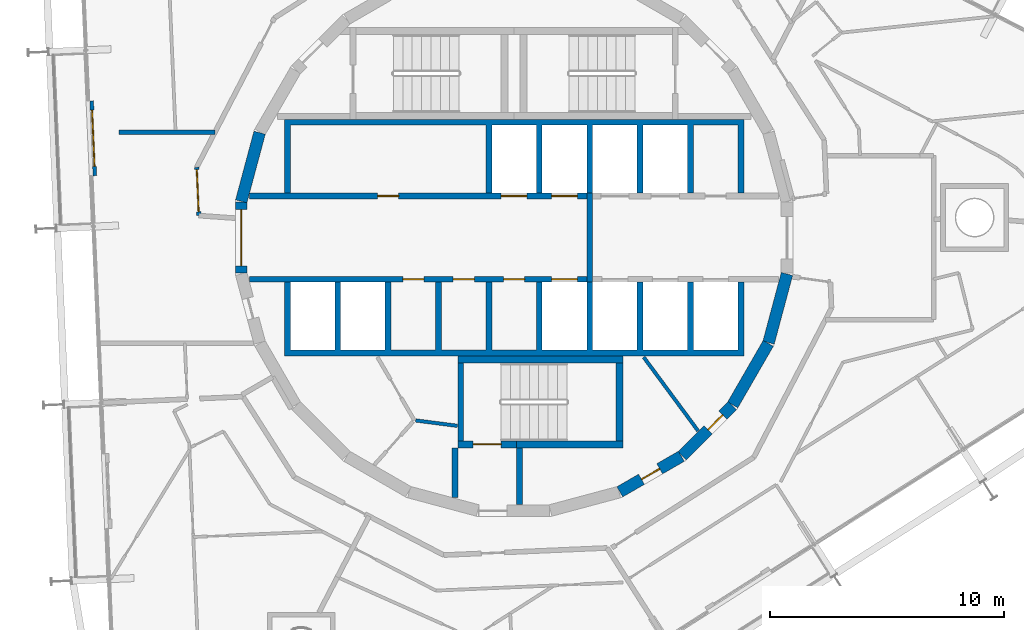
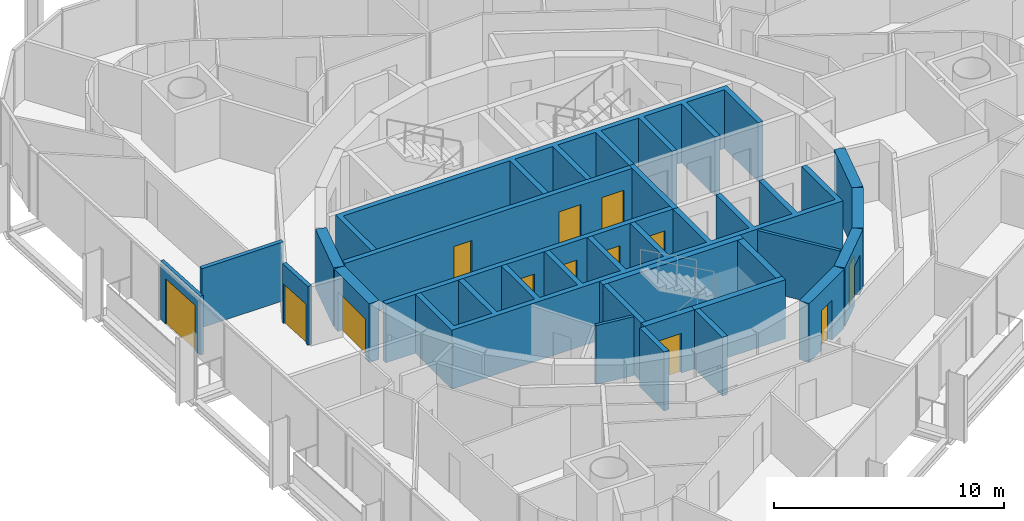
# One storey, part 13 of 18: 23 walls, 13 doors, 13 openings.
"""IFC4 building model written with IfcOpenShell, lengths in metres."""

from ifc_helpers import new_model, si_unit, direction, frame, frame_2d, origin, place, context, subcontext, project, spatial, polyline, rectangle, outline, extrude, material, layer, layer_set, type_object, element, fill, save


model = new_model("IFC4")

# Units and contexts
model_context = context("Model", 3, precision=1e-05, world=origin(), true_north=direction((0.0, 1.0)))
body_context = subcontext(model_context, "Body", "Model", "MODEL_VIEW")
ifc_project = project(units=[si_unit("LENGTHUNIT", "METRE"), si_unit("AREAUNIT", "SQUARE_METRE"), si_unit("VOLUMEUNIT", "CUBIC_METRE"), si_unit("PLANEANGLEUNIT", "RADIAN"), si_unit("MASSUNIT", "GRAM", prefix="KILO")], contexts=[model_context])

# Site, building, storey
site_placement = place(None, origin())
site = spatial("IfcSite", under=ifc_project, at=site_placement, CompositionType="ELEMENT")
building_placement = place(site_placement, origin())
building = spatial("IfcBuilding", under=site, at=building_placement, Name="Spindle Arch Residences", CompositionType="ELEMENT")
storey_placement = place(building_placement, frame((0.0, 0.0, 251.199951171875)))
storey = spatial("IfcBuildingStorey", under=building, at=storey_placement, Name="L64", CompositionType="ELEMENT", Elevation=251.199951171875)

# Wall, opening, door
ifc_material_1 = material(Name="Concrete C50/60", Category="concrete")
ifc_layer_1 = layer(ifc_material_1, 0.5)
ifc_layer_set_1 = layer_set([ifc_layer_1], Name="Core outline wall 500")
wall_type_1 = type_object("IfcWallType", Name="Core outline wall 500", PredefinedType="SHEAR", material=ifc_layer_set_1)
wall_1_placement = place(storey_placement, frame((4.510498046875, -10.84521484375, 0.0), z_axis=(0.0, 0.0, 1.0), x_axis=(0.865975092491, 0.500087131594, 0.0)))
wall_1 = element("IfcWall", 1, at=wall_1_placement, inside=storey, type_object=wall_type_1, Name="Core outline wall 2", PredefinedType="SHEAR", context=body_context, shape_type="SweptSolid", body=[
    extrude(rectangle(XDim=3.03271484375, YDim=0.5, at=frame_2d((1.516357421875, 0.0))), origin(), (0.0, 0.0, 1.0), 3.1201171875),
])
opening_1_placement = place(wall_1_placement, frame((1.06640625, 0.0, 0.0)))
opening_1 = element("IfcOpeningElement", 2, at=opening_1_placement, cuts=wall_1, Name="Opening R6C1-WD08", PredefinedType="OPENING", context=body_context, shape_type="SweptSolid", body=[
    extrude(rectangle(XDim=0.89990234375, YDim=2.10009765625, at=frame_2d((0.449951171875, 1.050048828125))), frame((0.0, 0.260009765625, 0.0), z_axis=(0.0, -1.0, 0.0), x_axis=(1.0, 0.0, 0.0)), (0.0, 0.0, 1.0), 0.52001953125),
])
ifc_material_2 = material(Name="Steel, fire-resisting door", Category="steel")
door_type_1 = type_object("IfcDoorType", Name="Service room door 900x2100", OperationType="SINGLE_SWING_LEFT", PredefinedType="DOOR", material=ifc_material_2)
door_1_placement = place(opening_1_placement, origin())
door_1 = element("IfcDoor", 3, at=door_1_placement, inside=storey, type_object=door_type_1, Name="Service room door R6C1-WD08", OperationType="SINGLE_SWING_RIGHT", OverallHeight=2.10009765625, OverallWidth=0.89990234375, PredefinedType="DOOR", context=body_context, shape_type="SweptSolid", body=[
    extrude(rectangle(XDim=0.89990234375, YDim=2.10009765625, at=frame_2d((0.449951171875, 1.050048828125))), frame((0.0, 0.02490234375, 0.0), z_axis=(0.0, -1.0, 0.0), x_axis=(1.0, 0.0, 0.0)), (0.0, 0.0, 1.0), 0.050048828125),
])
fill(opening_1, door_1)

wall_2_placement = place(storey_placement, frame((7.163818359375, -9.30810546875, 0.0), z_axis=(0.0, 0.0, 1.0), x_axis=(0.707106781187, 0.707106781187, 0.0)))
wall_2 = element("IfcWall", 4, at=wall_2_placement, inside=storey, type_object=wall_type_1, Name="Core outline wall 3", PredefinedType="SHEAR", context=body_context, shape_type="SweptSolid", body=[
    extrude(rectangle(XDim=3.032470703125, YDim=0.5, at=frame_2d((1.51611328125, 0.0))), origin(), (0.0, 0.0, 1.0), 3.1201171875),
])
opening_2_placement = place(wall_2_placement, frame((1.56640625, 0.0, 0.0)))
opening_2 = element("IfcOpeningElement", 5, at=opening_2_placement, cuts=wall_2, Name="Opening R6C1-WD09", PredefinedType="OPENING", context=body_context, shape_type="SweptSolid", body=[
    extrude(rectangle(XDim=0.89990234375, YDim=2.10009765625, at=frame_2d((0.449951171875, 1.050048828125))), frame((0.0, 0.260009765625, 0.0), z_axis=(0.0, -1.0, 0.0), x_axis=(1.0, 0.0, 0.0)), (0.0, 0.0, 1.0), 0.52001953125),
])
door_2_placement = place(opening_2_placement, origin())
door_2 = element("IfcDoor", 6, at=door_2_placement, inside=storey, type_object=door_type_1, Name="Service room door R6C1-WD09", OperationType="SINGLE_SWING_LEFT", OverallHeight=2.10009765625, OverallWidth=0.89990234375, PredefinedType="DOOR", context=body_context, shape_type="SweptSolid", body=[
    extrude(rectangle(XDim=0.89990234375, YDim=2.10009765625, at=frame_2d((0.449951171875, 1.050048828125))), frame((0.0, 0.02490234375, 0.0), z_axis=(0.0, -1.0, 0.0), x_axis=(1.0, 0.0, 0.0)), (0.0, 0.0, 1.0), 0.050048828125),
])
fill(opening_2, door_2)

# Walls
for number, where, z_axis, x_axis, name in (
    (7, (9.32861328125, -7.13671875, 0.0), (0.0, 0.0, 1.0), (0.500087131594, 0.865975092491, 0.0), "Core outline wall 4"),
    (8, (10.858154296875, -4.479248046875, 0.0), (0.0, 0.0, 1.0), (0.258734743916, 0.965948410781, 0.0), "Core outline wall 5"),
    (9, (-10.858154296875, 4.479248046875, 0.0), (0.0, 0.0, 1.0), (-0.258734743916, -0.965948410781, 0.0), "Core outline wall 17"),
):
    element("IfcWall", number, at=place(storey_placement, frame(where, z_axis=z_axis, x_axis=x_axis)), inside=storey, type_object=wall_type_1, Name=name, PredefinedType="SHEAR", context=body_context, shape_type="SweptSolid", body=[
        extrude(rectangle(XDim=3.03271484375, YDim=0.5, at=frame_2d((1.516357421875, 0.0))), origin(), (0.0, 0.0, 1.0), 3.1201171875),
    ])

# Wall, opening, door
wall_3_placement = place(storey_placement, frame((-11.647216796875, 1.516357421875, 0.0), z_axis=(0.0, 0.0, 1.0), x_axis=(0.0, -1.0, 0.0)))
wall_3 = element("IfcWall", 10, at=wall_3_placement, inside=storey, type_object=wall_type_1, Name="Core outline wall 18", PredefinedType="SHEAR", context=body_context, shape_type="SweptSolid", body=[
    extrude(rectangle(XDim=3.03271484375, YDim=0.5, at=frame_2d((1.516357421875, 0.0))), origin(), (0.0, 0.0, 1.0), 3.1201171875),
])
opening_3_placement = place(wall_3_placement, frame((0.31640625, 0.0, 0.0)))
opening_3 = element("IfcOpeningElement", 11, at=opening_3_placement, cuts=wall_3, Name="Opening R6C1-LE01", PredefinedType="OPENING", context=body_context, shape_type="SweptSolid", body=[
    extrude(rectangle(XDim=2.39990234375, YDim=2.10009765625, at=frame_2d((1.199951171875, 1.050048828125))), frame((0.0, 0.260009765625, 0.0), z_axis=(0.0, -1.0, 0.0), x_axis=(1.0, 0.0, 0.0)), (0.0, 0.0, 1.0), 0.52001953125),
])
ifc_material_3 = material(Name="Steel, fire-resisting door", Category="steel")
door_type_2 = type_object("IfcDoorType", Name="Lift lobby entrance door 2400x2100", OperationType="DOUBLE_DOOR_SINGLE_SWING", PredefinedType="DOOR", material=ifc_material_3)
door_3_placement = place(opening_3_placement, origin())
door_3 = element("IfcDoor", 12, at=door_3_placement, inside=storey, type_object=door_type_2, Name="Lift lobby entrance door R6C1-LE01", OperationType="DOUBLE_DOOR_SINGLE_SWING", OverallHeight=2.10009765625, OverallWidth=2.39990234375, PredefinedType="DOOR", context=body_context, shape_type="SweptSolid", body=[
    extrude(rectangle(XDim=2.39990234375, YDim=2.10009765625, at=frame_2d((1.199951171875, 1.050048828125))), frame((0.0, 0.02490234375, 0.0), z_axis=(0.0, -1.0, 0.0), x_axis=(1.0, 0.0, 0.0)), (0.0, 0.0, 1.0), 0.050048828125),
])
fill(opening_3, door_3)

# Wall
ifc_material_4 = material(Name="Concrete C40/50", Category="concrete")
ifc_layer_2 = layer(ifc_material_4, 0.25)
ifc_layer_set_2 = layer_set([ifc_layer_2], Name="Fire-lift lobby wall 250")
wall_type_2 = type_object("IfcWallType", Name="Fire-lift lobby wall 250", PredefinedType="SHEAR", material=ifc_layer_set_2)
wall_4_placement = place(storey_placement, frame((3.22509765625, -1.89990234375, 0.0), z_axis=(0.0, 0.0, 1.0), x_axis=(0.0, 1.0, 0.0)))
element("IfcWall", 13, at=wall_4_placement, inside=storey, type_object=wall_type_2, Name="Fire-fighting lobby partition", PredefinedType="SHEAR", context=body_context, shape_type="SweptSolid", body=[
    extrude(rectangle(XDim=3.7998046875, YDim=0.25, at=frame_2d((1.89990234375, 0.0))), origin(), (0.0, 0.0, 1.0), 3.1201171875),
])

# Wall, opening, door
ifc_material_5 = material(Name="Non-combustible mineral wool insulated aluminium faced external wall (K0)", Category="aluminium")
ifc_layer_3 = layer(ifc_material_5, 0.159912109375)
ifc_layer_set_3 = layer_set([ifc_layer_3], Name="Insulated external wall panel 160")
wall_type_3 = type_object("IfcWallType", Name="Insulated external wall panel 160", PredefinedType="STANDARD", material=ifc_layer_set_3)
wall_5_placement = place(storey_placement, frame((-18.026123046875, 5.83935546875, 0.0), z_axis=(0.0, 0.0, 1.0), x_axis=(0.043563034632, -0.999050680403, 0.0)))
wall_5 = element("IfcWall", 14, at=wall_5_placement, inside=storey, type_object=wall_type_3, Name="External wall L64 bay 14", PredefinedType="STANDARD", context=body_context, shape_type="SweptSolid", body=[
    extrude(rectangle(XDim=3.199951171875, YDim=0.159912109375, at=frame_2d((1.60009765625, 0.0))), origin(), (0.0, 0.0, 1.0), 3.1201171875),
])
opening_4_placement = place(wall_5_placement, frame((0.39990234375, 0.0, 0.0)))
opening_4 = element("IfcOpeningElement", 15, at=opening_4_placement, cuts=wall_5, Name="Opening BD14", PredefinedType="OPENING", context=body_context, shape_type="SweptSolid", body=[
    extrude(rectangle(XDim=2.39990234375, YDim=2.39990234375, at=frame_2d((1.199951171875, 1.199951171875))), frame((0.0, 0.08984375, 0.0), z_axis=(0.0, -1.0, 0.0), x_axis=(1.0, 0.0, 0.0)), (0.0, 0.0, 1.0), 0.179931640625),
])
ifc_material_6 = material(Name="Bronze aluminium frame, tinted double glazing", Category="aluminium")
door_type_3 = type_object("IfcDoorType", Name="Sliding glazed balcony door 2400x2400", OperationType="DOUBLE_DOOR_SLIDING", PredefinedType="DOOR", material=ifc_material_6)
door_4_placement = place(opening_4_placement, origin())
door_4 = element("IfcDoor", 16, at=door_4_placement, inside=storey, type_object=door_type_3, Name="Balcony door BD14", OperationType="DOUBLE_DOOR_SLIDING", OverallHeight=2.39990234375, OverallWidth=2.39990234375, PredefinedType="DOOR", context=body_context, shape_type="SweptSolid", body=[
    extrude(rectangle(XDim=2.39990234375, YDim=2.39990234375, at=frame_2d((1.199951171875, 1.199951171875))), frame((0.0, 0.02490234375, 0.0), z_axis=(0.0, -1.0, 0.0), x_axis=(1.0, 0.0, 0.0)), (0.0, 0.0, 1.0), 0.050048828125),
])
fill(opening_4, door_4)

ifc_material_7 = material(Name="Calcium silicate block, plastered")
ifc_layer_4 = layer(ifc_material_7, 0.199951171875)
ifc_layer_set_4 = layer_set([ifc_layer_4], Name="Lift lobby bay wall 200")
wall_type_4 = type_object("IfcWallType", Name="Lift lobby bay wall 200", PredefinedType="STANDARD", material=ifc_layer_set_4)
wall_6_placement = place(storey_placement, frame((-13.5439453125, 3.002685546875, 0.0), z_axis=(0.0, 0.0, 1.0), x_axis=(0.043652842459, -0.99904676034, 0.0)))
wall_6 = element("IfcWall", 17, at=wall_6_placement, inside=storey, type_object=wall_type_4, Name="Lift lobby bay wall R6C1-W008", PredefinedType="STANDARD", context=body_context, shape_type="SweptSolid", body=[
    extrude(rectangle(XDim=2.063720703125, YDim=0.199951171875, at=frame_2d((1.03173828125, 0.0))), origin(), (0.0, 0.0, 1.0), 3.1201171875),
])
opening_5_placement = place(wall_6_placement, frame((0.10009765625, 0.0, 0.0)))
opening_5 = element("IfcOpeningElement", 18, at=opening_5_placement, cuts=wall_6, Name="Opening R6C1-LB01", PredefinedType="OPENING", context=body_context, shape_type="SweptSolid", body=[
    extrude(rectangle(XDim=1.800048828125, YDim=2.10009765625, at=frame_2d((0.89990234375, 1.050048828125))), frame((0.0, 0.10986328125, 0.0), z_axis=(0.0, -1.0, 0.0), x_axis=(1.0, 0.0, 0.0)), (0.0, 0.0, 1.0), 0.219970703125),
])
ifc_material_8 = material(Name="Steel, fire-resisting door", Category="steel")
door_type_4 = type_object("IfcDoorType", Name="Lift lobby bay door 1800x2100", OperationType="NOTDEFINED", PredefinedType="DOOR", material=ifc_material_8)
door_5_placement = place(opening_5_placement, origin())
door_5 = element("IfcDoor", 19, at=door_5_placement, inside=storey, type_object=door_type_4, Name="Lift lobby bay door R6C1-LB01", OperationType="DOUBLE_DOOR_SINGLE_SWING", OverallHeight=2.10009765625, OverallWidth=1.800048828125, PredefinedType="DOOR", context=body_context, shape_type="SweptSolid", body=[
    extrude(rectangle(XDim=1.800048828125, YDim=2.10009765625, at=frame_2d((0.89990234375, 1.050048828125))), frame((0.0, 0.02490234375, 0.0), z_axis=(0.0, -1.0, 0.0), x_axis=(1.0, 0.0, 0.0)), (0.0, 0.0, 1.0), 0.050048828125),
])
fill(opening_5, door_5)

# Wall
wall_7_placement = place(storey_placement, frame((-12.764404296875, 4.5, 0.0), z_axis=(0.0, 0.0, 1.0), x_axis=(-1.0, 0.0, 0.0)))
element("IfcWall", 20, at=wall_7_placement, inside=storey, type_object=wall_type_4, Name="Lift lobby bay wall R6C1-W022", PredefinedType="STANDARD", context=body_context, shape_type="SweptSolid", body=[
    extrude(rectangle(XDim=4.085693359375, YDim=0.199951171875, at=frame_2d((2.04296875, 0.0))), origin(), (0.0, 0.0, 1.0), 3.1201171875),
])

# Wall, openings, doors
ifc_material_9 = material(Name="Concrete C50/60", Category="concrete")
ifc_layer_5 = layer(ifc_material_9, 0.25)
ifc_layer_set_5 = layer_set([ifc_layer_5], Name="Lift shaft wall 250")
wall_type_5 = type_object("IfcWallType", Name="Lift shaft wall 250", PredefinedType="SHEAR", material=ifc_layer_set_5)
wall_8_placement = place(storey_placement, frame((-11.280029296875, 1.77490234375, 0.0), z_axis=(0.0, 0.0, 1.0), x_axis=(1.0, 0.0, 0.0)))
wall_8 = element("IfcWall", 21, at=wall_8_placement, inside=storey, type_object=wall_type_5, Name="Lift shaft front wall NW", PredefinedType="SHEAR", context=body_context, shape_type="SweptSolid", body=[
    extrude(rectangle(XDim=14.380126953125, YDim=0.25, at=frame_2d((7.18994140625, 0.0))), origin(), (0.0, 0.0, 1.0), 3.1201171875),
])
opening_6_placement = place(wall_8_placement, frame((10.72998046875, 0.0, 0.0)))
opening_6 = element("IfcOpeningElement", 22, at=opening_6_placement, cuts=wall_8, Name="Opening R6C1-LD01", PredefinedType="OPENING", context=body_context, shape_type="SweptSolid", body=[
    extrude(rectangle(XDim=1.10009765625, YDim=2.10009765625, at=frame_2d((0.550048828125, 1.050048828125))), frame((0.0, 0.135009765625, 0.0), z_axis=(0.0, -1.0, 0.0), x_axis=(1.0, 0.0, 0.0)), (0.0, 0.0, 1.0), 0.27001953125),
])
opening_7_placement = place(wall_8_placement, frame((12.8798828125, 0.0, 0.0)))
opening_7 = element("IfcOpeningElement", 23, at=opening_7_placement, cuts=wall_8, Name="Opening R6C1-LD02", PredefinedType="OPENING", context=body_context, shape_type="SweptSolid", body=[
    extrude(rectangle(XDim=1.10009765625, YDim=2.10009765625, at=frame_2d((0.550048828125, 1.050048828125))), frame((0.0, 0.135009765625, 0.0), z_axis=(0.0, -1.0, 0.0), x_axis=(1.0, 0.0, 0.0)), (0.0, 0.0, 1.0), 0.27001953125),
])
opening_8_placement = place(wall_8_placement, frame((5.455078125, 0.0, 0.0)))
opening_8 = element("IfcOpeningElement", 24, at=opening_8_placement, cuts=wall_8, Name="Opening R6C1-WD01", PredefinedType="OPENING", context=body_context, shape_type="SweptSolid", body=[
    extrude(rectangle(XDim=0.89990234375, YDim=2.10009765625, at=frame_2d((0.449951171875, 1.050048828125))), frame((0.0, 0.135009765625, 0.0), z_axis=(0.0, -1.0, 0.0), x_axis=(1.0, 0.0, 0.0)), (0.0, 0.0, 1.0), 0.27001953125),
])
ifc_material_10 = material(Name="Steel, fire-resisting landing door", Category="steel")
door_type_5 = type_object("IfcDoorType", Name="Lift landing door 1100x2100", OperationType="DOUBLE_DOOR_SLIDING", PredefinedType="DOOR", material=ifc_material_10)
door_6_placement = place(opening_6_placement, origin())
door_6 = element("IfcDoor", 25, at=door_6_placement, inside=storey, type_object=door_type_5, Name="Lift landing door R6C1-LD01", OperationType="DOUBLE_DOOR_SLIDING", OverallHeight=2.10009765625, OverallWidth=1.10009765625, PredefinedType="DOOR", context=body_context, shape_type="SweptSolid", body=[
    extrude(rectangle(XDim=1.10009765625, YDim=2.10009765625, at=frame_2d((0.550048828125, 1.050048828125))), frame((0.0, 0.02490234375, 0.0), z_axis=(0.0, -1.0, 0.0), x_axis=(1.0, 0.0, 0.0)), (0.0, 0.0, 1.0), 0.050048828125),
])
fill(opening_6, door_6)
door_7_placement = place(opening_7_placement, origin())
door_7 = element("IfcDoor", 26, at=door_7_placement, inside=storey, type_object=door_type_5, Name="Lift landing door R6C1-LD02", OperationType="DOUBLE_DOOR_SLIDING", OverallHeight=2.10009765625, OverallWidth=1.10009765625, PredefinedType="DOOR", context=body_context, shape_type="SweptSolid", body=[
    extrude(rectangle(XDim=1.10009765625, YDim=2.10009765625, at=frame_2d((0.550048828125, 1.050048828125))), frame((0.0, 0.02490234375, 0.0), z_axis=(0.0, -1.0, 0.0), x_axis=(1.0, 0.0, 0.0)), (0.0, 0.0, 1.0), 0.050048828125),
])
fill(opening_7, door_7)
door_8_placement = place(opening_8_placement, origin())
door_8 = element("IfcDoor", 27, at=door_8_placement, inside=storey, type_object=door_type_1, Name="Service room door R6C1-WD01", OperationType="SINGLE_SWING_LEFT", OverallHeight=2.10009765625, OverallWidth=0.89990234375, PredefinedType="DOOR", context=body_context, shape_type="SweptSolid", body=[
    extrude(rectangle(XDim=0.89990234375, YDim=2.10009765625, at=frame_2d((0.449951171875, 1.050048828125))), frame((0.0, 0.02490234375, 0.0), z_axis=(0.0, -1.0, 0.0), x_axis=(1.0, 0.0, 0.0)), (0.0, 0.0, 1.0), 0.050048828125),
])
fill(opening_8, door_8)

wall_9_placement = place(storey_placement, frame((-11.280029296875, -1.77490234375, 0.0), z_axis=(0.0, 0.0, 1.0), x_axis=(1.0, 0.0, 0.0)))
wall_9 = element("IfcWall", 28, at=wall_9_placement, inside=storey, type_object=wall_type_5, Name="Lift shaft front wall SW", PredefinedType="SHEAR", context=body_context, shape_type="SweptSolid", body=[
    extrude(rectangle(XDim=14.380126953125, YDim=0.25, at=frame_2d((7.18994140625, 0.0))), origin(), (0.0, 0.0, 1.0), 3.1201171875),
])
opening_9_placement = place(wall_9_placement, frame((12.8798828125, 0.0, 0.0)))
opening_9 = element("IfcOpeningElement", 29, at=opening_9_placement, cuts=wall_9, Name="Opening R6C1-LD03", PredefinedType="OPENING", context=body_context, shape_type="SweptSolid", body=[
    extrude(rectangle(XDim=1.10009765625, YDim=2.10009765625, at=frame_2d((0.550048828125, 1.050048828125))), frame((0.0, 0.135009765625, 0.0), z_axis=(0.0, -1.0, 0.0), x_axis=(1.0, 0.0, 0.0)), (0.0, 0.0, 1.0), 0.27001953125),
])
opening_10_placement = place(wall_9_placement, frame((6.530029296875, 0.0, 0.0)))
opening_10 = element("IfcOpeningElement", 30, at=opening_10_placement, cuts=wall_9, Name="Opening R6C1-WD03", PredefinedType="OPENING", context=body_context, shape_type="SweptSolid", body=[
    extrude(rectangle(XDim=0.89990234375, YDim=2.10009765625, at=frame_2d((0.449951171875, 1.050048828125))), frame((0.0, 0.135009765625, 0.0), z_axis=(0.0, -1.0, 0.0), x_axis=(1.0, 0.0, 0.0)), (0.0, 0.0, 1.0), 0.27001953125),
])
opening_11_placement = place(wall_9_placement, frame((8.679931640625, 0.0, 0.0)))
opening_11 = element("IfcOpeningElement", 31, at=opening_11_placement, cuts=wall_9, Name="Opening R6C1-WD04", PredefinedType="OPENING", context=body_context, shape_type="SweptSolid", body=[
    extrude(rectangle(XDim=0.89990234375, YDim=2.10009765625, at=frame_2d((0.449951171875, 1.050048828125))), frame((0.0, 0.135009765625, 0.0), z_axis=(0.0, -1.0, 0.0), x_axis=(1.0, 0.0, 0.0)), (0.0, 0.0, 1.0), 0.27001953125),
])
opening_12_placement = place(wall_9_placement, frame((10.830078125, 0.0, 0.0)))
opening_12 = element("IfcOpeningElement", 32, at=opening_12_placement, cuts=wall_9, Name="Opening R6C1-WD05", PredefinedType="OPENING", context=body_context, shape_type="SweptSolid", body=[
    extrude(rectangle(XDim=0.89990234375, YDim=2.10009765625, at=frame_2d((0.449951171875, 1.050048828125))), frame((0.0, 0.135009765625, 0.0), z_axis=(0.0, -1.0, 0.0), x_axis=(1.0, 0.0, 0.0)), (0.0, 0.0, 1.0), 0.27001953125),
])
door_9_placement = place(opening_9_placement, origin())
door_9 = element("IfcDoor", 33, at=door_9_placement, inside=storey, type_object=door_type_5, Name="Lift landing door R6C1-LD03", OperationType="DOUBLE_DOOR_SLIDING", OverallHeight=2.10009765625, OverallWidth=1.10009765625, PredefinedType="DOOR", context=body_context, shape_type="SweptSolid", body=[
    extrude(rectangle(XDim=1.10009765625, YDim=2.10009765625, at=frame_2d((0.550048828125, 1.050048828125))), frame((0.0, 0.02490234375, 0.0), z_axis=(0.0, -1.0, 0.0), x_axis=(1.0, 0.0, 0.0)), (0.0, 0.0, 1.0), 0.050048828125),
])
fill(opening_9, door_9)
door_10_placement = place(opening_10_placement, origin())
door_10 = element("IfcDoor", 34, at=door_10_placement, inside=storey, type_object=door_type_1, Name="Service room door R6C1-WD03", OperationType="SINGLE_SWING_LEFT", OverallHeight=2.10009765625, OverallWidth=0.89990234375, PredefinedType="DOOR", context=body_context, shape_type="SweptSolid", body=[
    extrude(rectangle(XDim=0.89990234375, YDim=2.10009765625, at=frame_2d((0.449951171875, 1.050048828125))), frame((0.0, 0.02490234375, 0.0), z_axis=(0.0, -1.0, 0.0), x_axis=(1.0, 0.0, 0.0)), (0.0, 0.0, 1.0), 0.050048828125),
])
fill(opening_10, door_10)
door_11_placement = place(opening_11_placement, origin())
door_11 = element("IfcDoor", 35, at=door_11_placement, inside=storey, type_object=door_type_1, Name="Service room door R6C1-WD04", OperationType="SINGLE_SWING_RIGHT", OverallHeight=2.10009765625, OverallWidth=0.89990234375, PredefinedType="DOOR", context=body_context, shape_type="SweptSolid", body=[
    extrude(rectangle(XDim=0.89990234375, YDim=2.10009765625, at=frame_2d((0.449951171875, 1.050048828125))), frame((0.0, 0.02490234375, 0.0), z_axis=(0.0, -1.0, 0.0), x_axis=(1.0, 0.0, 0.0)), (0.0, 0.0, 1.0), 0.050048828125),
])
fill(opening_11, door_11)
door_12_placement = place(opening_12_placement, origin())
door_12 = element("IfcDoor", 36, at=door_12_placement, inside=storey, type_object=door_type_1, Name="Service room door R6C1-WD05", OperationType="SINGLE_SWING_LEFT", OverallHeight=2.10009765625, OverallWidth=0.89990234375, PredefinedType="DOOR", context=body_context, shape_type="SweptSolid", body=[
    extrude(rectangle(XDim=0.89990234375, YDim=2.10009765625, at=frame_2d((0.449951171875, 1.050048828125))), frame((0.0, 0.02490234375, 0.0), z_axis=(0.0, -1.0, 0.0), x_axis=(1.0, 0.0, 0.0)), (0.0, 0.0, 1.0), 0.050048828125),
])
fill(opening_12, door_12)

# Walls
ifc_material_11 = material(Name="Concrete C50/60", Category="concrete")
wall_type_6 = type_object("IfcWallType", Name="Lift shaft wall profile", PredefinedType="SHEAR", material=ifc_material_11)
wall_10_placement = place(storey_placement, origin())
element("IfcWall", 37, at=wall_10_placement, inside=storey, type_object=wall_type_6, Name="Lift shaft walls N", PredefinedType="SHEAR", context=body_context, shape_type="SweptSolid", body=[
    extrude(outline(polyline([(-9.550048828125, 4.800048828125), (-1.199951171875, 4.800048828125), (-1.199951171875, 1.89990234375), (-0.949951171875, 1.89990234375), (-0.949951171875, 4.800048828125), (0.949951171875, 4.800048828125), (0.949951171875, 1.89990234375), (1.199951171875, 1.89990234375), (1.199951171875, 4.800048828125), (3.10009765625, 4.800048828125), (3.10009765625, 1.89990234375), (3.35009765625, 1.89990234375), (3.35009765625, 4.800048828125), (5.25, 4.800048828125), (5.25, 1.89990234375), (5.5, 1.89990234375), (5.5, 4.800048828125), (7.39990234375, 4.800048828125), (7.39990234375, 1.89990234375), (7.64990234375, 1.89990234375), (7.64990234375, 4.800048828125), (9.550048828125, 4.800048828125), (9.550048828125, 1.89990234375), (9.800048828125, 1.89990234375), (9.800048828125, 4.800048828125), (9.800048828125, 5.050048828125), (-9.800048828125, 5.050048828125), (-9.800048828125, 4.800048828125), (-9.800048828125, 1.89990234375), (-9.550048828125, 1.89990234375), (-9.550048828125, 4.800048828125)])), origin(), (0.0, 0.0, 1.0), 3.1201171875),
])
wall_11_placement = place(storey_placement, origin())
element("IfcWall", 38, at=wall_11_placement, inside=storey, type_object=wall_type_6, Name="Lift shaft walls S", PredefinedType="SHEAR", context=body_context, shape_type="SweptSolid", body=[
    extrude(outline(polyline([(9.800048828125, -5.050048828125), (9.800048828125, -4.800048828125), (9.800048828125, -1.89990234375), (9.550048828125, -1.89990234375), (9.550048828125, -4.800048828125), (7.64990234375, -4.800048828125), (7.64990234375, -1.89990234375), (7.39990234375, -1.89990234375), (7.39990234375, -4.800048828125), (5.5, -4.800048828125), (5.5, -1.89990234375), (5.25, -1.89990234375), (5.25, -4.800048828125), (3.35009765625, -4.800048828125), (3.35009765625, -1.89990234375), (3.10009765625, -1.89990234375), (3.10009765625, -4.800048828125), (1.199951171875, -4.800048828125), (1.199951171875, -1.89990234375), (0.949951171875, -1.89990234375), (0.949951171875, -4.800048828125), (-0.949951171875, -4.800048828125), (-0.949951171875, -1.89990234375), (-1.199951171875, -1.89990234375), (-1.199951171875, -4.800048828125), (-3.10009765625, -4.800048828125), (-3.10009765625, -1.89990234375), (-3.35009765625, -1.89990234375), (-3.35009765625, -4.800048828125), (-5.25, -4.800048828125), (-5.25, -1.89990234375), (-5.5, -1.89990234375), (-5.5, -4.800048828125), (-7.39990234375, -4.800048828125), (-7.39990234375, -1.89990234375), (-7.64990234375, -1.89990234375), (-7.64990234375, -4.800048828125), (-9.550048828125, -4.800048828125), (-9.550048828125, -1.89990234375), (-9.800048828125, -1.89990234375), (-9.800048828125, -4.800048828125), (-9.800048828125, -5.050048828125), (9.800048828125, -5.050048828125)])), origin(), (0.0, 0.0, 1.0), 3.1201171875),
])
ifc_material_12 = material(Name="Concrete C25/30", Category="concrete")
ifc_layer_6 = layer(ifc_material_12, 0.14990234375)
ifc_layer_set_6 = layer_set([ifc_layer_6], Name="Service room partition 150")
wall_type_7 = type_object("IfcWallType", Name="Service room partition 150", PredefinedType="PARTITIONING", material=ifc_layer_set_6)
wall_12_placement = place(storey_placement, frame((5.528076171875, -5.098388671875, 0.0), z_axis=(0.0, 0.0, 1.0), x_axis=(0.594034318069, -0.804439698769, 0.0)))
element("IfcWall", 39, at=wall_12_placement, inside=storey, type_object=wall_type_7, Name="Core service room partition", PredefinedType="PARTITIONING", context=body_context, shape_type="SweptSolid", body=[
    extrude(rectangle(XDim=3.90673828125, YDim=0.14990234375, at=frame_2d((1.953369140625, 0.0))), origin(), (0.0, 0.0, 1.0), 3.1201171875),
])
wall_13_placement = place(storey_placement, frame((-4.197998046875, -7.79931640625, 0.0), z_axis=(0.0, 0.0, 1.0), x_axis=(0.991686747293, -0.128675542523, 0.0)))
element("IfcWall", 40, at=wall_13_placement, inside=storey, type_object=wall_type_7, Name="Core service room partition", PredefinedType="PARTITIONING", context=body_context, shape_type="SweptSolid", body=[
    extrude(rectangle(XDim=1.79296875, YDim=0.14990234375, at=frame_2d((0.896484375, 0.0))), origin(), (0.0, 0.0, 1.0), 3.1201171875),
])
ifc_material_13 = material(Name="Concrete C40/50", Category="concrete")
ifc_layer_7 = layer(ifc_material_13, 0.25)
ifc_layer_set_7 = layer_set([ifc_layer_7], Name="Stair airlock wall 250")
wall_type_8 = type_object("IfcWallType", Name="Stair airlock wall 250", PredefinedType="SHEAR", material=ifc_layer_set_7)
wall_14_placement = place(storey_placement, frame((-2.52490234375, -8.969970703125, 0.0), z_axis=(0.0, 0.0, 1.0), x_axis=(0.0, -1.0, 0.0)))
element("IfcWall", 41, at=wall_14_placement, inside=storey, type_object=wall_type_8, Name="Stair ST-3 airlock wall W", PredefinedType="SHEAR", context=body_context, shape_type="SweptSolid", body=[
    extrude(rectangle(XDim=2.110107421875, YDim=0.25, at=frame_2d((1.05517578125, 0.0))), origin(), (0.0, 0.0, 1.0), 3.1201171875),
])
wall_15_placement = place(storey_placement, frame((0.22509765625, -8.969970703125, 0.0), z_axis=(0.0, 0.0, 1.0), x_axis=(0.0, -1.0, 0.0)))
element("IfcWall", 42, at=wall_15_placement, inside=storey, type_object=wall_type_8, Name="Stair ST-3 airlock wall E", PredefinedType="SHEAR", context=body_context, shape_type="SweptSolid", body=[
    extrude(rectangle(XDim=2.409912109375, YDim=0.25, at=frame_2d((1.205078125, 0.0))), origin(), (0.0, 0.0, 1.0), 3.1201171875),
])
ifc_material_14 = material(Name="Concrete C50/60", Category="concrete")
ifc_layer_8 = layer(ifc_material_14, 0.25)
ifc_layer_set_8 = layer_set([ifc_layer_8], Name="Stair enclosure wall 250")
wall_type_9 = type_object("IfcWallType", Name="Stair enclosure wall 250", PredefinedType="SHEAR", material=ifc_layer_set_8)
wall_16_placement = place(storey_placement, frame((-2.27490234375, -8.669921875, 0.0), z_axis=(0.0, 0.0, 1.0), x_axis=(0.0, 1.0, 0.0)))
element("IfcWall", 43, at=wall_16_placement, inside=storey, type_object=wall_type_9, Name="Stair ST-3 enclosure wall W", PredefinedType="SHEAR", context=body_context, shape_type="SweptSolid", body=[
    extrude(rectangle(XDim=3.31982421875, YDim=0.25, at=frame_2d((1.659912109375, 0.0))), origin(), (0.0, 0.0, 1.0), 3.1201171875),
])
ifc_material_15 = material(Name="Concrete C50/60", Category="concrete")
ifc_layer_9 = layer(ifc_material_15, 0.300048828125)
ifc_layer_set_9 = layer_set([ifc_layer_9], Name="Stair enclosure wall 300")
wall_type_10 = type_object("IfcWallType", Name="Stair enclosure wall 300", PredefinedType="SHEAR", material=ifc_layer_set_9)
wall_17_placement = place(storey_placement, frame((-2.39990234375, -5.199951171875, 0.0), z_axis=(0.0, 0.0, 1.0), x_axis=(1.0, 0.0, 0.0)))
element("IfcWall", 44, at=wall_17_placement, inside=storey, type_object=wall_type_10, Name="Stair ST-3 enclosure wall N", PredefinedType="SHEAR", context=body_context, shape_type="SweptSolid", body=[
    extrude(rectangle(XDim=7.0498046875, YDim=0.300048828125, at=frame_2d((3.52490234375, 0.0))), origin(), (0.0, 0.0, 1.0), 3.1201171875),
])
wall_18_placement = place(storey_placement, frame((4.5, -8.669921875, 0.0), z_axis=(0.0, 0.0, 1.0), x_axis=(0.0, 1.0, 0.0)))
element("IfcWall", 45, at=wall_18_placement, inside=storey, type_object=wall_type_10, Name="Stair ST-3 enclosure wall E", PredefinedType="SHEAR", context=body_context, shape_type="SweptSolid", body=[
    extrude(rectangle(XDim=3.31982421875, YDim=0.300048828125, at=frame_2d((1.659912109375, 0.0))), origin(), (0.0, 0.0, 1.0), 3.1201171875),
])
wall_19_placement = place(storey_placement, frame((0.10009765625, -8.820068359375, 0.0), z_axis=(0.0, 0.0, 1.0), x_axis=(1.0, 0.0, 0.0)))
element("IfcWall", 46, at=wall_19_placement, inside=storey, type_object=wall_type_10, Name="Stair ST-3 enclosure wall S", PredefinedType="SHEAR", context=body_context, shape_type="SweptSolid", body=[
    extrude(rectangle(XDim=4.5498046875, YDim=0.300048828125, at=frame_2d((2.27490234375, 0.0))), origin(), (0.0, 0.0, 1.0), 3.1201171875),
])

# Wall, opening, door
wall_20_placement = place(storey_placement, frame((-2.39990234375, -8.820068359375, 0.0), z_axis=(0.0, 0.0, 1.0), x_axis=(1.0, 0.0, 0.0)))
wall_20 = element("IfcWall", 47, at=wall_20_placement, inside=storey, type_object=wall_type_10, Name="Stair ST-3 door wall", PredefinedType="SHEAR", context=body_context, shape_type="SweptSolid", body=[
    extrude(rectangle(XDim=2.5, YDim=0.300048828125, at=frame_2d((1.25, 0.0))), origin(), (0.0, 0.0, 1.0), 3.1201171875),
])
opening_13_placement = place(wall_20_placement, frame((0.64990234375, 0.0, 0.0)))
opening_13 = element("IfcOpeningElement", 48, at=opening_13_placement, cuts=wall_20, Name="Opening R6C1-SD03", PredefinedType="OPENING", context=body_context, shape_type="SweptSolid", body=[
    extrude(rectangle(XDim=1.199951171875, YDim=2.10009765625, at=frame_2d((0.60009765625, 1.050048828125))), frame((0.0, 0.16015625, 0.0), z_axis=(0.0, -1.0, 0.0), x_axis=(1.0, 0.0, 0.0)), (0.0, 0.0, 1.0), 0.320068359375),
])
ifc_material_16 = material(Name="Steel, fire-resisting door", Category="steel")
door_type_6 = type_object("IfcDoorType", Name="Stair door 1200x2100", OperationType="SINGLE_SWING_RIGHT", PredefinedType="DOOR", material=ifc_material_16)
door_13_placement = place(opening_13_placement, origin())
door_13 = element("IfcDoor", 49, at=door_13_placement, inside=storey, type_object=door_type_6, Name="Stair door R6C1-SD03", OperationType="SINGLE_SWING_LEFT", OverallHeight=2.10009765625, OverallWidth=1.199951171875, PredefinedType="DOOR", context=body_context, shape_type="SweptSolid", body=[
    extrude(rectangle(XDim=1.199951171875, YDim=2.10009765625, at=frame_2d((0.60009765625, 1.050048828125))), frame((0.0, 0.02490234375, 0.0), z_axis=(0.0, -1.0, 0.0), x_axis=(1.0, 0.0, 0.0)), (0.0, 0.0, 1.0), 0.050048828125),
])
fill(opening_13, door_13)

save(model, "model.ifc")
